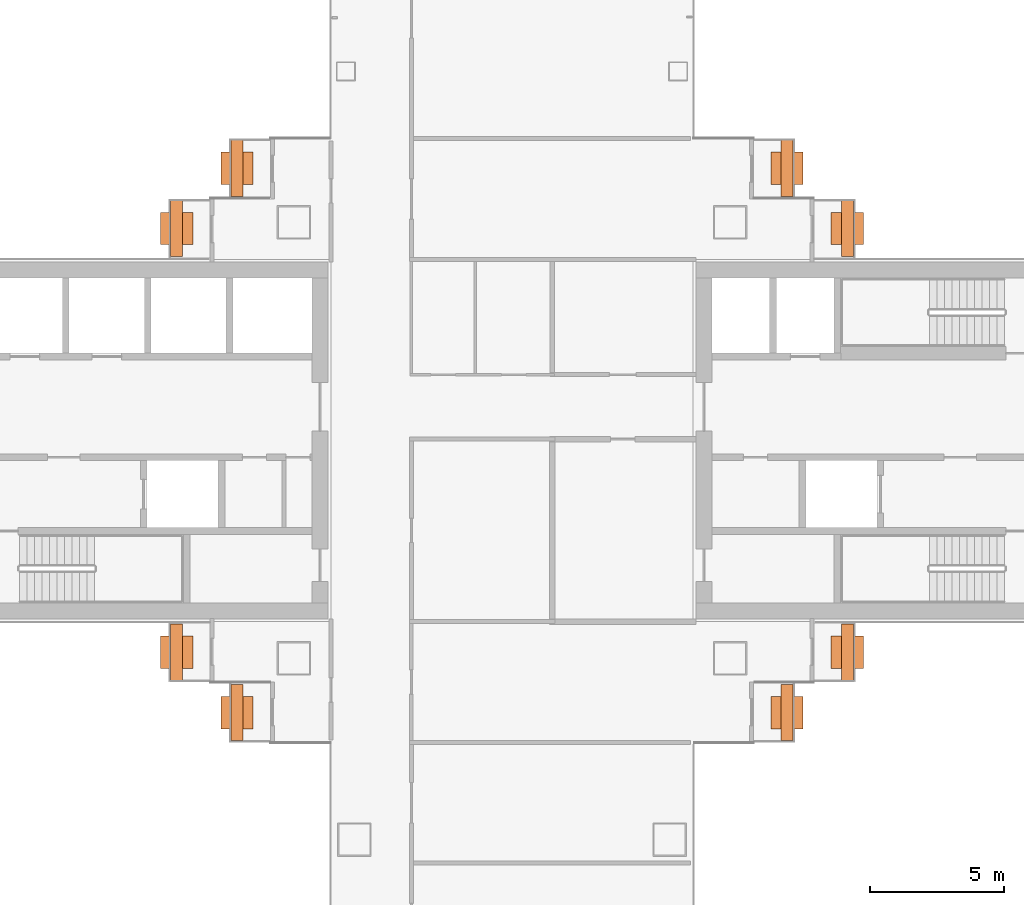
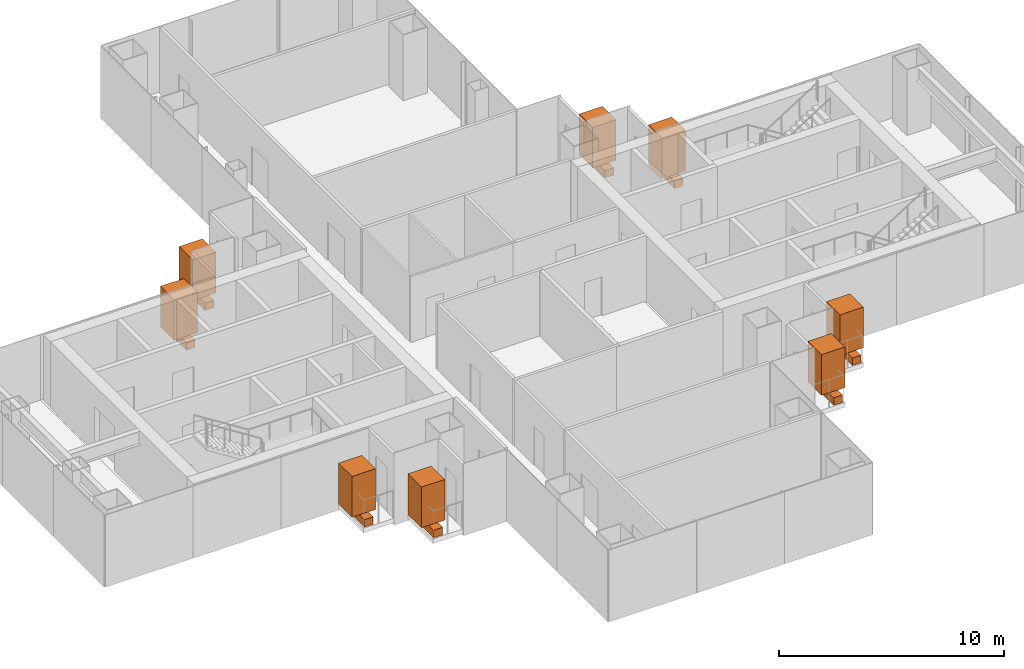
# One storey, part 20 of 20: 8 geographic elements, 8 proxies.
"""IFC4 building model written with IfcOpenShell, lengths in metres."""

from ifc_helpers import new_model, si_unit, direction, frame, origin, origin_2d, place, context, subcontext, project, spatial, rectangle, extrude, material, type_object, element, save


model = new_model("IFC4")

# Units and contexts
model_context = context("Model", 3, precision=1e-05, world=origin(), true_north=direction((0.0, 1.0)))
body_context = subcontext(model_context, "Body", "Model", "MODEL_VIEW")
ifc_project = project(units=[si_unit("LENGTHUNIT", "METRE"), si_unit("AREAUNIT", "SQUARE_METRE"), si_unit("VOLUMEUNIT", "CUBIC_METRE"), si_unit("PLANEANGLEUNIT", "RADIAN"), si_unit("MASSUNIT", "GRAM", prefix="KILO")], contexts=[model_context])

# Site, building, storey
site_placement = place(None, origin())
site = spatial("IfcSite", under=ifc_project, at=site_placement, CompositionType="ELEMENT")
building_placement = place(site_placement, origin())
building = spatial("IfcBuilding", under=site, at=building_placement, Name="Shamsa Quay Exchange Towers", CompositionType="ELEMENT")
storey_placement = place(building_placement, frame((0.0, 0.0, 109.199951171875)))
storey = spatial("IfcBuildingStorey", under=building, at=storey_placement, Name="L25", CompositionType="ELEMENT", Elevation=109.199951171875)

# Proxies
ifc_material_1 = material(Name="Reinforced concrete C30/37, black glass-fibre faced", Category="concrete")
building_element_proxy_type = type_object("IfcBuildingElementProxyType", Name="BALCONY PLANTER", PredefinedType="USERDEFINED", material=ifc_material_1)
for number, where, z_axis, x_axis, name in (
    (1, (23.5048828125, 10.14404296875, 0.0), (0.0, 0.0, 1.0), (0.0, -1.0, 0.0), "PLANTER T2-PKEN L25"),
    (2, (21.2548828125, 7.89404296875, 0.0), (0.0, 0.0, 1.0), (0.0, -1.0, 0.0), "PLANTER T2-PKEN L25"),
    (3, (43.9951171875, 10.14404296875, 0.0), (0.0, 0.0, 1.0), (0.0, 1.0, 0.0), "PLANTER T2-PKES L25"),
    (4, (46.2451171875, 7.89404296875, 0.0), (0.0, 0.0, 1.0), (0.0, 1.0, 0.0), "PLANTER T2-PKES L25"),
    (5, (21.2548828125, -7.89404296875, 0.0), (0.0, 0.0, 1.0), (0.0, -1.0, 0.0), "PLANTER T2-PKWN L25"),
    (6, (23.5048828125, -10.14404296875, 0.0), (0.0, 0.0, 1.0), (0.0, -1.0, 0.0), "PLANTER T2-PKWN L25"),
    (7, (43.9951171875, -10.14404296875, 0.0), (0.0, 0.0, 1.0), (0.0, 1.0, 0.0), "PLANTER T2-PKWS L25"),
    (8, (46.2451171875, -7.89404296875, 0.0), (0.0, 0.0, 1.0), (0.0, 1.0, 0.0), "PLANTER T2-PKWS L25"),
):
    element("IfcBuildingElementProxy", number, at=place(storey_placement, frame(where, z_axis=z_axis, x_axis=x_axis)), inside=storey, type_object=building_element_proxy_type, Name=name, ObjectType="PLANTER", PredefinedType="USERDEFINED", context=body_context, shape_type="SweptSolid", body=[
        extrude(rectangle(XDim=2.092041015625, YDim=0.449951171875, at=origin_2d()), origin(), (0.0, 0.0, 1.0), 0.39990234375),
    ])

# Geographic elements
ifc_material_2 = material(Name="Planting")
geographic_element_type = type_object("IfcGeographicElementType", Name="BALCONY TREE", PredefinedType="USERDEFINED", material=ifc_material_2)
for number, where, z_axis, x_axis, name in (
    (9, (23.5048828125, 10.14404296875, 0.39990234375), (0.0, 0.0, 1.0), (0.0, -1.0, 0.0), "TREE T2-PKEN L25"),
    (10, (21.2548828125, 7.89404296875, 0.39990234375), (0.0, 0.0, 1.0), (0.0, -1.0, 0.0), "TREE T2-PKEN L25"),
    (11, (43.9951171875, 10.14404296875, 0.39990234375), (0.0, 0.0, 1.0), (0.0, 1.0, 0.0), "TREE T2-PKES L25"),
    (12, (46.2451171875, 7.89404296875, 0.39990234375), (0.0, 0.0, 1.0), (0.0, 1.0, 0.0), "TREE T2-PKES L25"),
    (13, (21.2548828125, -7.89404296875, 0.39990234375), (0.0, 0.0, 1.0), (0.0, -1.0, 0.0), "TREE T2-PKWN L25"),
    (14, (23.5048828125, -10.14404296875, 0.39990234375), (0.0, 0.0, 1.0), (0.0, -1.0, 0.0), "TREE T2-PKWN L25"),
    (15, (43.9951171875, -10.14404296875, 0.39990234375), (0.0, 0.0, 1.0), (0.0, 1.0, 0.0), "TREE T2-PKWS L25"),
    (16, (46.2451171875, -7.89404296875, 0.39990234375), (0.0, 0.0, 1.0), (0.0, 1.0, 0.0), "TREE T2-PKWS L25"),
):
    element("IfcGeographicElement", number, at=place(storey_placement, frame(where, z_axis=z_axis, x_axis=x_axis)), inside=storey, type_object=geographic_element_type, Name=name, ObjectType="TREE", PredefinedType="USERDEFINED", context=body_context, shape_type="SweptSolid", body=[
        extrude(rectangle(XDim=1.199951171875, YDim=1.199951171875, at=origin_2d()), origin(), (0.0, 0.0, 1.0), 2.199951171875),
    ])

save(model, "model.ifc")
